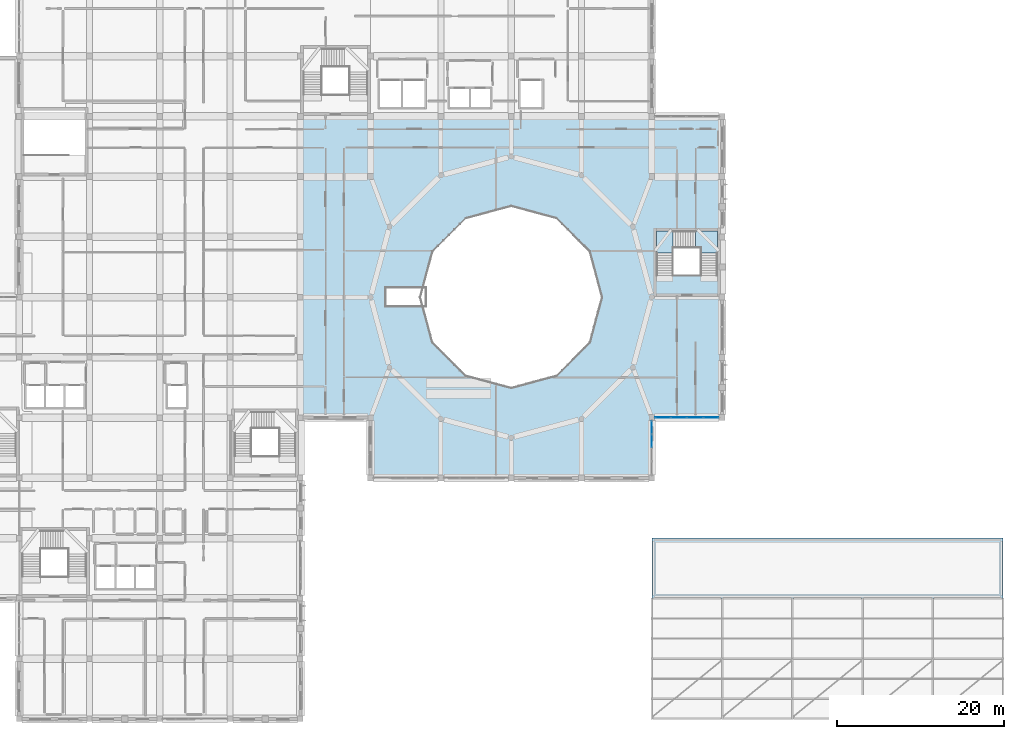
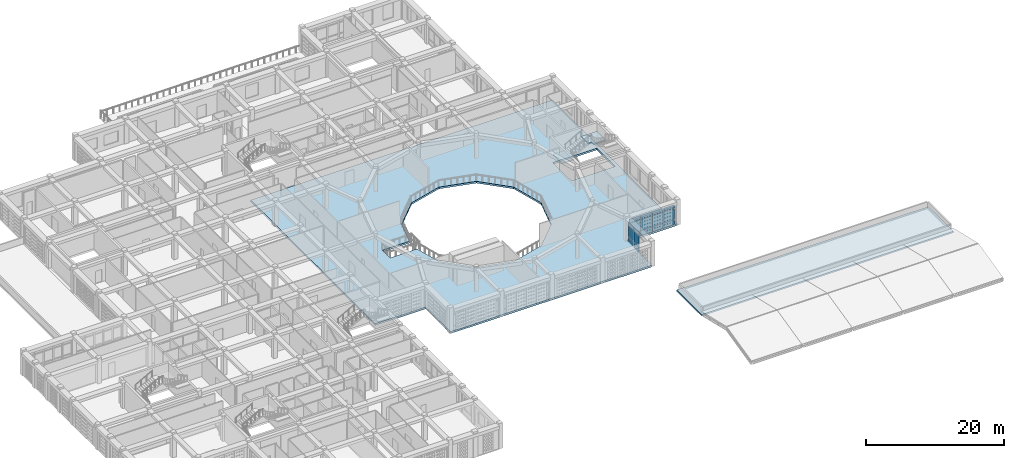
# One storey, part 33 of 79: 18 plates, 4 slabs, 3 elements without a shape of their own.
"""IFC4 building model written with IfcOpenShell, lengths in metres."""

import ifcopenshell
import ifcopenshell.guid

model = None  # the IFC model being written
_history = None  # IfcOwnerHistory: only IFC2X3 demands one
_inside = {}  # id of a spatial element -> (the spatial element, [elements in it])
_under = {}  # id of a project, library or spatial element -> (it, [spatial elements below it])
_declared = {}  # id of a project -> (the project, [libraries it declares])
_typed = {}  # id of a type object -> (the type object, [elements of that type])
_made_of = {}  # id of a material, layer set ... -> (it, [elements and type objects made of it])


def new_model(schema):
    """Start an empty IFC model of exactly this schema.

    Asked for "IFC4X3", IfcOpenShell would pick the latest addendum, in which some entities
    have other attributes; the version numbers below select the first issue.
    IFC2X3 requires an IfcOwnerHistory on every rooted entity: one is made here for all.
    """
    global model, _history
    if schema == "IFC4X3":
        model = ifcopenshell.file(schema_version=(4, 3, 0, 0))
    else:
        model = ifcopenshell.file(schema=schema)
    _inside.clear()
    _under.clear()
    _declared.clear()
    _typed.clear()
    _made_of.clear()
    _history = None
    if model.schema == "IFC2X3":
        org = make("IfcOrganization", Name="unknown")
        user = make(
            "IfcPersonAndOrganization",
            ThePerson=make("IfcPerson", FamilyName="unknown"),
            TheOrganization=org,
        )
        app = make(
            "IfcApplication",
            ApplicationDeveloper=org,
            Version="unknown",
            ApplicationFullName="unknown",
            ApplicationIdentifier="unknown",
        )
        _history = make(
            "IfcOwnerHistory",
            OwningUser=user,
            OwningApplication=app,
            ChangeAction="ADDED",
            CreationDate=0,
        )
    return model


def make(cls, **values):
    """One entity of the class cls with the attributes given. An attribute that is None is left unset."""
    return model.create_entity(
        cls, **{name: value for name, value in values.items() if value is not None}
    )


def rooted(cls, **values):
    """An entity with a GlobalId (a new one), such as an element, a storey or a relation."""
    return make(cls, GlobalId=ifcopenshell.guid.new(), OwnerHistory=_history, **values)


def si_unit(unit_type, name, prefix=None):
    """IfcSIUnit, for example si_unit("LENGTHUNIT", "METRE", prefix="MILLI")."""
    return make("IfcSIUnit", UnitType=unit_type, Prefix=prefix, Name=name)


def derived_unit(unit_type, elements):
    """IfcDerivedUnit: a product of units, each with its exponent."""
    return make(
        "IfcDerivedUnit",
        Elements=[
            make("IfcDerivedUnitElement", Unit=unit, Exponent=power)
            for unit, power in elements
        ],
        UnitType=unit_type,
    )


def assignment(units):
    """IfcUnitAssignment: the units of a project."""
    return None if units is None else make("IfcUnitAssignment", Units=units)


def point(xyz):
    """IfcCartesianPoint."""
    return None if xyz is None else make("IfcCartesianPoint", Coordinates=xyz)


def direction(xyz):
    """IfcDirection."""
    return None if xyz is None else make("IfcDirection", DirectionRatios=xyz)


def frame(location, z_axis=None, x_axis=None):
    """IfcAxis2Placement3D, a coordinate frame: its origin and axes. An axis left out is left unset."""
    return make(
        "IfcAxis2Placement3D",
        Location=point(location),
        Axis=direction(z_axis),
        RefDirection=direction(x_axis),
    )


def frame_2d(location, x_axis=None):
    """IfcAxis2Placement2D, a coordinate frame in the plane: its origin and x axis."""
    return make(
        "IfcAxis2Placement2D", Location=point(location), RefDirection=direction(x_axis)
    )


def origin():
    """The frame at (0, 0, 0) with its axes left unset."""
    return frame((0.0, 0.0, 0.0))


def origin_2d():
    """The frame at (0, 0) in the plane with its x axis left unset."""
    return frame_2d((0.0, 0.0))


def place(relative_to, where):
    """IfcLocalPlacement: puts the frame where relative to a parent placement (None: the world)."""
    return make(
        "IfcLocalPlacement", PlacementRelTo=relative_to, RelativePlacement=where
    )


def context(
    kind, dimensions, precision=None, world=None, true_north=None, identifier=None
):
    """IfcGeometricRepresentationContext, for example the 3D "Model" context."""
    return make(
        "IfcGeometricRepresentationContext",
        ContextIdentifier=identifier,
        ContextType=kind,
        CoordinateSpaceDimension=dimensions,
        Precision=precision,
        WorldCoordinateSystem=world,
        TrueNorth=true_north,
    )


def subcontext(parent, identifier, kind, view, scale=None):
    """IfcGeometricRepresentationSubContext, for example "Body" below "Model"."""
    return make(
        "IfcGeometricRepresentationSubContext",
        ContextIdentifier=identifier,
        ContextType=kind,
        ParentContext=parent,
        TargetScale=scale,
        TargetView=view,
    )


def project(units=None, contexts=None):
    """IfcProject with its units and contexts."""
    return rooted(
        "IfcProject",
        Name="project",
        RepresentationContexts=contexts,
        UnitsInContext=assignment(units),
    )


def spatial(cls, under=None, at=None, **own):
    """A site, building, storey or space (cls), placed at a placement, below another one or the project."""
    s = rooted(cls, ObjectPlacement=at, **own)
    if under is not None:
        _under.setdefault(under.id(), (under, []))[1].append(s)
    return s


def polyline(points):
    """IfcPolyline through the points."""
    return make("IfcPolyline", Points=[point(p) for p in points])


def profile(cls, at=None, kind="AREA", **sizes):
    """A parametric profile (cls). Its sizes go by their IFC names, for example OverallWidth=200.0."""
    return make(cls, ProfileType=kind, Position=at, **sizes)


def rectangle(**sizes):
    """IfcRectangleProfileDef."""
    return profile("IfcRectangleProfileDef", **sizes)


def outline(outer, holes=None, kind="AREA"):
    """IfcArbitraryClosedProfileDef: a profile drawn as a closed curve; with holes, ...WithVoids."""
    if holes is None:
        return make("IfcArbitraryClosedProfileDef", ProfileType=kind, OuterCurve=outer)
    return make(
        "IfcArbitraryProfileDefWithVoids",
        ProfileType=kind,
        OuterCurve=outer,
        InnerCurves=holes,
    )


def extrude(swept, where, along, depth):
    """IfcExtrudedAreaSolid: the profile swept, set in the frame where, extruded along a direction by depth."""
    return make(
        "IfcExtrudedAreaSolid",
        SweptArea=swept,
        Position=where,
        ExtrudedDirection=direction(along),
        Depth=depth,
    )


def shape(context_of_items, identifier, shape_type, items):
    """IfcShapeRepresentation: the items that make up one representation, for example the "Body"."""
    return make(
        "IfcShapeRepresentation",
        ContextOfItems=context_of_items,
        RepresentationIdentifier=identifier,
        RepresentationType=shape_type,
        Items=items,
    )


def material(Name=None, Category=None):
    """IfcMaterial."""
    return make("IfcMaterial", Name=Name, Category=Category)


def layer(
    of_material, thickness, ventilated=None, Name=None, Category=None, Priority=None
):
    """IfcMaterialLayer: one layer of a wall or slab, of a material (None: an air gap)."""
    return make(
        "IfcMaterialLayer",
        Material=of_material,
        LayerThickness=thickness,
        IsVentilated=ventilated,
        Name=Name,
        Category=Category,
        Priority=Priority,
    )


def layer_set(layers, Name=None):
    """IfcMaterialLayerSet."""
    return make("IfcMaterialLayerSet", MaterialLayers=layers, LayerSetName=Name)


def made_of(thing, what):
    """Note that an element or type object is made of a material, layer set ...; save() writes the relation."""
    if what is not None:
        _made_of.setdefault(what.id(), (what, []))[1].append(thing)
    return thing


def type_object(cls, material=None, **own):
    """A type object (cls), such as IfcWallType, which elements share."""
    return made_of(rooted(cls, **own), material)


def element(
    cls,
    number,
    at=None,
    inside=None,
    cuts=None,
    type_object=None,
    material=None,
    context=None,
    identifier="Body",
    shape_type=None,
    held_by="IfcProductDefinitionShape",
    body=None,
    shapes=None,
    **own,
):
    """One element of the class cls, such as IfcWall. Its Tag is "e" and its number.

    at: its placement. inside: the storey or other place that contains it. cuts: it is an
    opening in that element (IfcRelVoidsElement). A single representation is given by context,
    identifier, shape_type and body (its items); several are given by shapes. held_by: the class
    of the entity that holds the representations. save() writes the other relations.
    """
    e = rooted(cls, Tag="e%d" % number, ObjectPlacement=at, **own)
    if body is not None:
        shapes = [shape(context, identifier, shape_type, body)]
    if shapes is not None:
        e.Representation = make(held_by, Representations=shapes)
    if inside is not None:
        _inside.setdefault(inside.id(), (inside, []))[1].append(e)
    if cuts is not None:
        rooted(
            "IfcRelVoidsElement", RelatingBuildingElement=cuts, RelatedOpeningElement=e
        )
    if type_object is not None:
        _typed.setdefault(type_object.id(), (type_object, []))[1].append(e)
    return made_of(e, material)


def aggregate(whole, parts):
    """IfcRelAggregates: a whole, such as a stair, and the parts it consists of."""
    return rooted("IfcRelAggregates", RelatingObject=whole, RelatedObjects=parts)


def save(model, path):
    """Write the relations noted so far, then the file.

    IfcRelAggregates (storeys below a building ...), IfcRelContainedInSpatialStructure (elements
    in a storey), IfcRelDefinesByType, IfcRelAssociatesMaterial and IfcRelDeclares: one each for
    every whole, place, type object, material and project.
    """
    for whole, parts in _under.values():
        aggregate(whole, parts)
    for where, things in _inside.values():
        rooted(
            "IfcRelContainedInSpatialStructure",
            RelatedElements=things,
            RelatingStructure=where,
        )
    for kind, things in _typed.values():
        rooted("IfcRelDefinesByType", RelatedObjects=things, RelatingType=kind)
    for what, things in _made_of.values():
        rooted("IfcRelAssociatesMaterial", RelatedObjects=things, RelatingMaterial=what)
    for by, libraries in _declared.values():
        rooted("IfcRelDeclares", RelatingContext=by, RelatedDefinitions=libraries)
    model.write(path)


model = new_model("IFC4")

# Units and contexts
model_context = context("Model", 3, precision=1e-05, world=origin(), true_north=direction((0.0, 1.0)))
body_context = subcontext(model_context, "Body", "Model", "MODEL_VIEW")
ifc_project = project(units=[si_unit("LENGTHUNIT", "METRE"), si_unit("AREAUNIT", "SQUARE_METRE"), si_unit("VOLUMEUNIT", "CUBIC_METRE"), si_unit("PLANEANGLEUNIT", "RADIAN"), si_unit("MASSUNIT", "GRAM", prefix="KILO"), derived_unit("THERMALTRANSMITTANCEUNIT", [(si_unit("POWERUNIT", "WATT"), 1), (si_unit("LENGTHUNIT", "METRE"), -2), (si_unit("THERMODYNAMICTEMPERATUREUNIT", "KELVIN"), -1)])], contexts=[model_context])

# Site, building, storey
site_placement = place(None, origin())
site = spatial("IfcSite", under=ifc_project, at=site_placement, CompositionType="ELEMENT")
building_placement = place(site_placement, origin())
building = spatial("IfcBuilding", under=site, at=building_placement, Name="Veybourne Emporium", CompositionType="ELEMENT")
storey_placement = place(building_placement, frame((0.0, 0.0, 18.89990234375)))
storey = spatial("IfcBuildingStorey", under=building, at=storey_placement, Name="L04", CompositionType="ELEMENT", Elevation=18.89990234375)

# Curtain wall, plates
ifc_material_1 = material(Name="Patinated Architectural Bronze", Category="bronze")
curtain_wall_type_1 = type_object("IfcCurtainWallType", Name="CWSystem_CWS-05", PredefinedType="NOTDEFINED", material=ifc_material_1)
curtain_wall_1_placement = place(storey_placement, origin())
curtain_wall_1 = element("IfcCurtainWall", 1, at=curtain_wall_1_placement, inside=storey, type_object=curtain_wall_type_1, Name="L04 bronze glazed curtain wall CWS-05 (042)", PredefinedType="NOTDEFINED")
ifc_material_2 = material(Name="Low-E Triple Glazing", Category="glass")
ifc_layer_1 = layer(ifc_material_2, 0.028076171875)
ifc_layer_set_1 = layer_set([ifc_layer_1], Name="Low-E Triple Glazing")
plate_type = type_object("IfcPlateType", Name="CWPanel_CW-P1", PredefinedType="CURTAIN_PANEL", material=ifc_layer_set_1)
plate_1_placement = place(storey_placement, frame((92.39990234375, 34.819580078125, 0.072021484375), z_axis=(0.0, 0.0, 1.0), x_axis=(0.0, -1.0, 0.0)))
plate_1 = element("IfcPlate", 2, at=plate_1_placement, type_object=plate_type, Name="CWS-05 panel 1.1", PredefinedType="CURTAIN_PANEL", context=body_context, shape_type="SweptSolid", body=[
    extrude(rectangle(XDim=1.51708984375, YDim=0.028076171875, at=origin_2d()), origin(), (0.0, 0.0, 1.0), 0.7919921875),
])
plate_2_placement = place(storey_placement, frame((92.39990234375, 34.819580078125, 0.93603515625), z_axis=(0.0, 0.0, 1.0), x_axis=(0.0, -1.0, 0.0)))
plate_2 = element("IfcPlate", 3, at=plate_2_placement, type_object=plate_type, Name="CWS-05 panel 1.2", PredefinedType="CURTAIN_PANEL", context=body_context, shape_type="SweptSolid", body=[
    extrude(rectangle(XDim=1.51708984375, YDim=0.028076171875, at=origin_2d()), origin(), (0.0, 0.0, 1.0), 1.907958984375),
])
plate_3_placement = place(storey_placement, frame((92.39990234375, 34.819580078125, 2.916015625), z_axis=(0.0, 0.0, 1.0), x_axis=(0.0, -1.0, 0.0)))
plate_3 = element("IfcPlate", 4, at=plate_3_placement, type_object=plate_type, Name="CWS-05 panel 1.3", PredefinedType="CURTAIN_PANEL", context=body_context, shape_type="SweptSolid", body=[
    extrude(rectangle(XDim=1.51708984375, YDim=0.028076171875, at=origin_2d()), origin(), (0.0, 0.0, 1.0), 0.64208984375),
])
plate_4_placement = place(storey_placement, frame((92.39990234375, 33.21240234375, 0.072021484375), z_axis=(0.0, 0.0, 1.0), x_axis=(0.0, -1.0, 0.0)))
plate_4 = element("IfcPlate", 5, at=plate_4_placement, type_object=plate_type, Name="CWS-05 panel 2.1", PredefinedType="CURTAIN_PANEL", context=body_context, shape_type="SweptSolid", body=[
    extrude(rectangle(XDim=1.552978515625, YDim=0.028076171875, at=origin_2d()), origin(), (0.0, 0.0, 1.0), 0.7919921875),
])
plate_5_placement = place(storey_placement, frame((92.39990234375, 33.21240234375, 0.93603515625), z_axis=(0.0, 0.0, 1.0), x_axis=(0.0, -1.0, 0.0)))
plate_5 = element("IfcPlate", 6, at=plate_5_placement, type_object=plate_type, Name="CWS-05 panel 2.2", PredefinedType="CURTAIN_PANEL", context=body_context, shape_type="SweptSolid", body=[
    extrude(rectangle(XDim=1.552978515625, YDim=0.028076171875, at=origin_2d()), origin(), (0.0, 0.0, 1.0), 1.907958984375),
])
plate_6_placement = place(storey_placement, frame((92.39990234375, 33.21240234375, 2.916015625), z_axis=(0.0, 0.0, 1.0), x_axis=(0.0, -1.0, 0.0)))
plate_6 = element("IfcPlate", 7, at=plate_6_placement, type_object=plate_type, Name="CWS-05 panel 2.3", PredefinedType="CURTAIN_PANEL", context=body_context, shape_type="SweptSolid", body=[
    extrude(rectangle(XDim=1.552978515625, YDim=0.028076171875, at=origin_2d()), origin(), (0.0, 0.0, 1.0), 0.64208984375),
])
aggregate(curtain_wall_1, [plate_1, plate_2, plate_3, plate_4, plate_5, plate_6])

curtain_wall_type_2 = type_object("IfcCurtainWallType", Name="CWSystem_CWS-07", PredefinedType="NOTDEFINED", material=ifc_material_1)
curtain_wall_2_placement = place(storey_placement, origin())
curtain_wall_2 = element("IfcCurtainWall", 8, at=curtain_wall_2_placement, inside=storey, type_object=curtain_wall_type_2, Name="L04 bronze glazed curtain wall CWS-07 (048)", PredefinedType="NOTDEFINED")
plate_7_placement = place(storey_placement, frame((99.468017578125, 36.0, 0.078125), z_axis=(0.0, 0.0, 1.0), x_axis=(-1.0, 0.0, 0.0)))
plate_7 = element("IfcPlate", 9, at=plate_7_placement, type_object=plate_type, Name="CWS-07 panel 1.1", PredefinedType="CURTAIN_PANEL", context=body_context, shape_type="SweptSolid", body=[
    extrude(rectangle(XDim=1.80810546875, YDim=0.028076171875, at=origin_2d()), origin(), (0.0, 0.0, 1.0), 0.782958984375),
])
plate_8_placement = place(storey_placement, frame((99.468017578125, 36.0, 0.93896484375), z_axis=(0.0, 0.0, 1.0), x_axis=(-1.0, 0.0, 0.0)))
plate_8 = element("IfcPlate", 10, at=plate_8_placement, type_object=plate_type, Name="CWS-07 panel 1.2", PredefinedType="CURTAIN_PANEL", context=body_context, shape_type="SweptSolid", body=[
    extrude(rectangle(XDim=1.80810546875, YDim=0.028076171875, at=origin_2d()), origin(), (0.0, 0.0, 1.0), 1.902099609375),
])
plate_9_placement = place(storey_placement, frame((99.468017578125, 36.0, 2.9189453125), z_axis=(0.0, 0.0, 1.0), x_axis=(-1.0, 0.0, 0.0)))
plate_9 = element("IfcPlate", 11, at=plate_9_placement, type_object=plate_type, Name="CWS-07 panel 1.3", PredefinedType="CURTAIN_PANEL", context=body_context, shape_type="SweptSolid", body=[
    extrude(rectangle(XDim=1.80810546875, YDim=0.028076171875, at=origin_2d()), origin(), (0.0, 0.0, 1.0), 0.633056640625),
])
plate_10_placement = place(storey_placement, frame((97.5625, 36.0, 0.078125), z_axis=(0.0, 0.0, 1.0), x_axis=(-1.0, 0.0, 0.0)))
plate_10 = element("IfcPlate", 12, at=plate_10_placement, type_object=plate_type, Name="CWS-07 panel 2.1", PredefinedType="CURTAIN_PANEL", context=body_context, shape_type="SweptSolid", body=[
    extrude(rectangle(XDim=1.846923828125, YDim=0.028076171875, at=origin_2d()), origin(), (0.0, 0.0, 1.0), 0.782958984375),
])
plate_11_placement = place(storey_placement, frame((97.5625, 36.0, 0.93896484375), z_axis=(0.0, 0.0, 1.0), x_axis=(-1.0, 0.0, 0.0)))
plate_11 = element("IfcPlate", 13, at=plate_11_placement, type_object=plate_type, Name="CWS-07 panel 2.2", PredefinedType="CURTAIN_PANEL", context=body_context, shape_type="SweptSolid", body=[
    extrude(rectangle(XDim=1.846923828125, YDim=0.028076171875, at=origin_2d()), origin(), (0.0, 0.0, 1.0), 1.902099609375),
])
plate_12_placement = place(storey_placement, frame((97.5625, 36.0, 2.9189453125), z_axis=(0.0, 0.0, 1.0), x_axis=(-1.0, 0.0, 0.0)))
plate_12 = element("IfcPlate", 14, at=plate_12_placement, type_object=plate_type, Name="CWS-07 panel 2.3", PredefinedType="CURTAIN_PANEL", context=body_context, shape_type="SweptSolid", body=[
    extrude(rectangle(XDim=1.846923828125, YDim=0.028076171875, at=origin_2d()), origin(), (0.0, 0.0, 1.0), 0.633056640625),
])
plate_13_placement = place(storey_placement, frame((95.637451171875, 36.0, 0.078125), z_axis=(0.0, 0.0, 1.0), x_axis=(-1.0, 0.0, 0.0)))
plate_13 = element("IfcPlate", 15, at=plate_13_placement, type_object=plate_type, Name="CWS-07 panel 3.1", PredefinedType="CURTAIN_PANEL", context=body_context, shape_type="SweptSolid", body=[
    extrude(rectangle(XDim=1.846923828125, YDim=0.028076171875, at=origin_2d()), origin(), (0.0, 0.0, 1.0), 0.782958984375),
])
plate_14_placement = place(storey_placement, frame((95.637451171875, 36.0, 0.93896484375), z_axis=(0.0, 0.0, 1.0), x_axis=(-1.0, 0.0, 0.0)))
plate_14 = element("IfcPlate", 16, at=plate_14_placement, type_object=plate_type, Name="CWS-07 panel 3.2", PredefinedType="CURTAIN_PANEL", context=body_context, shape_type="SweptSolid", body=[
    extrude(rectangle(XDim=1.846923828125, YDim=0.028076171875, at=origin_2d()), origin(), (0.0, 0.0, 1.0), 1.902099609375),
])
plate_15_placement = place(storey_placement, frame((95.637451171875, 36.0, 2.9189453125), z_axis=(0.0, 0.0, 1.0), x_axis=(-1.0, 0.0, 0.0)))
plate_15 = element("IfcPlate", 17, at=plate_15_placement, type_object=plate_type, Name="CWS-07 panel 3.3", PredefinedType="CURTAIN_PANEL", context=body_context, shape_type="SweptSolid", body=[
    extrude(rectangle(XDim=1.846923828125, YDim=0.028076171875, at=origin_2d()), origin(), (0.0, 0.0, 1.0), 0.633056640625),
])
plate_16_placement = place(storey_placement, frame((93.73193359375, 36.0, 0.078125), z_axis=(0.0, 0.0, 1.0), x_axis=(-1.0, 0.0, 0.0)))
plate_16 = element("IfcPlate", 18, at=plate_16_placement, type_object=plate_type, Name="CWS-07 panel 4.1", PredefinedType="CURTAIN_PANEL", context=body_context, shape_type="SweptSolid", body=[
    extrude(rectangle(XDim=1.80810546875, YDim=0.028076171875, at=origin_2d()), origin(), (0.0, 0.0, 1.0), 0.782958984375),
])
plate_17_placement = place(storey_placement, frame((93.73193359375, 36.0, 0.93896484375), z_axis=(0.0, 0.0, 1.0), x_axis=(-1.0, 0.0, 0.0)))
plate_17 = element("IfcPlate", 19, at=plate_17_placement, type_object=plate_type, Name="CWS-07 panel 4.2", PredefinedType="CURTAIN_PANEL", context=body_context, shape_type="SweptSolid", body=[
    extrude(rectangle(XDim=1.80810546875, YDim=0.028076171875, at=origin_2d()), origin(), (0.0, 0.0, 1.0), 1.902099609375),
])
plate_18_placement = place(storey_placement, frame((93.73193359375, 36.0, 2.9189453125), z_axis=(0.0, 0.0, 1.0), x_axis=(-1.0, 0.0, 0.0)))
plate_18 = element("IfcPlate", 20, at=plate_18_placement, type_object=plate_type, Name="CWS-07 panel 4.3", PredefinedType="CURTAIN_PANEL", context=body_context, shape_type="SweptSolid", body=[
    extrude(rectangle(XDim=1.80810546875, YDim=0.028076171875, at=origin_2d()), origin(), (0.0, 0.0, 1.0), 0.633056640625),
])
aggregate(curtain_wall_2, [plate_7, plate_8, plate_9, plate_10, plate_11, plate_12, plate_13, plate_14, plate_15, plate_16, plate_17, plate_18])

# Stair, slabs
ifc_material_3 = material(Name="Concrete C32/40", Category="concrete")
stair_type = type_object("IfcStairType", Name="Stair_ST-07-R30", PredefinedType="TWO_QUARTER_TURN_STAIR", material=ifc_material_3)
stair_placement = place(storey_placement, origin())
stair = element("IfcStair", 21, at=stair_placement, inside=storey, type_object=stair_type, Name="L04 stair ST-07", PredefinedType="TWO_QUARTER_TURN_STAIR")
ifc_layer_2 = layer(ifc_material_3, 0.199951171875)
ifc_layer_set_2 = layer_set([ifc_layer_2], Name="Concrete C32/40")
slab_type_1 = type_object("IfcSlabType", Name="Landing_LDG-01", PredefinedType="LANDING", material=ifc_layer_set_2)
slab_1_placement = place(storey_placement, frame((0.0, 0.0, 1.300048828125)))
slab_1 = element("IfcSlab", 22, at=slab_1_placement, type_object=slab_type_1, Name="ST-07-R30 landing 1", PredefinedType="LANDING", context=body_context, shape_type="SweptSolid", body=[
    extrude(outline(polyline([(92.949951171875, 55.699951171875), (94.949951171875, 55.699951171875), (94.949951171875, 58.300048828125), (92.949951171875, 58.300048828125), (92.949951171875, 55.699951171875)])), origin(), (0.0, 0.0, 1.0), 0.199951171875),
])
slab_2_placement = place(storey_placement, frame((0.0, 0.0, 2.800048828125)))
slab_2 = element("IfcSlab", 23, at=slab_2_placement, type_object=slab_type_1, Name="ST-07-R30 landing 2", PredefinedType="LANDING", context=body_context, shape_type="SweptSolid", body=[
    extrude(outline(polyline([(97.64990234375, 56.300048828125), (98.25, 56.300048828125), (98.25, 55.699951171875), (100.25, 55.699951171875), (100.25, 58.300048828125), (97.64990234375, 58.300048828125), (97.64990234375, 56.300048828125)])), origin(), (0.0, 0.0, 1.0), 0.199951171875),
])
aggregate(stair, [slab_1, slab_2])

# Slabs
ifc_layer_3 = layer(ifc_material_3, 0.320068359375)
ifc_layer_set_3 = layer_set([ifc_layer_3], Name="Concrete C32/40")
slab_type_2 = type_object("IfcSlabType", Name="Slab_FS-02", PredefinedType="FLOOR", material=ifc_layer_set_3)
slab_3_placement = place(storey_placement, frame((0.0, 0.0, -0.31982421875)))
element("IfcSlab", 24, at=slab_3_placement, inside=storey, type_object=slab_type_2, Name="L04 floor slab FS-02 (V2.1)", PredefinedType="FLOOR", context=body_context, shape_type="SweptSolid", body=[
    extrude(outline(polyline([(50.39990234375, 36.0), (50.39990234375, 43.199951171875), (50.39990234375, 50.39990234375), (50.39990234375, 57.60009765625), (50.39990234375, 64.800048828125), (50.39990234375, 72.0), (58.800048828125, 72.0), (67.199951171875, 72.0), (75.60009765625, 72.0), (84.0, 72.0), (92.39990234375, 72.0), (100.800048828125, 72.0), (100.800048828125, 64.800048828125), (100.800048828125, 57.60009765625), (100.800048828125, 50.39990234375), (100.800048828125, 43.199951171875), (100.800048828125, 36.0), (92.39990234375, 36.0), (92.39990234375, 28.800048828125), (84.0, 28.800048828125), (75.60009765625, 28.800048828125), (67.199951171875, 28.800048828125), (58.800048828125, 28.800048828125), (58.800048828125, 36.0), (50.39990234375, 36.0)]), holes=[polyline([(66.246826171875, 55.800048828125), (65.0947265625, 51.5), (60.60009765625, 51.5), (60.60009765625, 49.300048828125), (65.0947265625, 49.300048828125), (66.246826171875, 45.0), (70.199951171875, 41.046875), (75.60009765625, 39.60009765625), (81.0, 41.046875), (84.953125, 45.0), (86.39990234375, 50.39990234375), (84.953125, 55.800048828125), (81.0, 59.753173828125), (75.60009765625, 61.199951171875), (70.199951171875, 59.753173828125), (66.246826171875, 55.800048828125)]), polyline([(92.949951171875, 53.0), (100.25, 53.0), (100.25, 58.300048828125), (92.949951171875, 58.300048828125), (92.949951171875, 53.0)])]), origin(), (0.0, 0.0, 1.0), 0.31982421875),
])
ifc_layer_4 = layer(ifc_material_3, 0.260009765625)
ifc_layer_set_4 = layer_set([ifc_layer_4], Name="Concrete C32/40")
slab_type_3 = type_object("IfcSlabType", Name="Slab_RS-01", PredefinedType="ROOF", material=ifc_layer_set_4)
slab_4_placement = place(storey_placement, frame((0.0, 0.0, -0.260009765625)))
element("IfcSlab", 25, at=slab_4_placement, inside=storey, type_object=slab_type_3, Name="L04 flat roof slab 1", PredefinedType="ROOF", context=body_context, shape_type="SweptSolid", body=[
    extrude(outline(polyline([(109.199951171875, 21.60009765625), (117.60009765625, 21.60009765625), (126.0, 21.60009765625), (134.39990234375, 21.60009765625), (134.39990234375, 14.39990234375), (126.0, 14.39990234375), (117.60009765625, 14.39990234375), (109.199951171875, 14.39990234375), (100.800048828125, 14.39990234375), (92.39990234375, 14.39990234375), (92.39990234375, 21.60009765625), (100.800048828125, 21.60009765625), (109.199951171875, 21.60009765625)])), origin(), (0.0, 0.0, 1.0), 0.260009765625),
])

save(model, "model.ifc")
